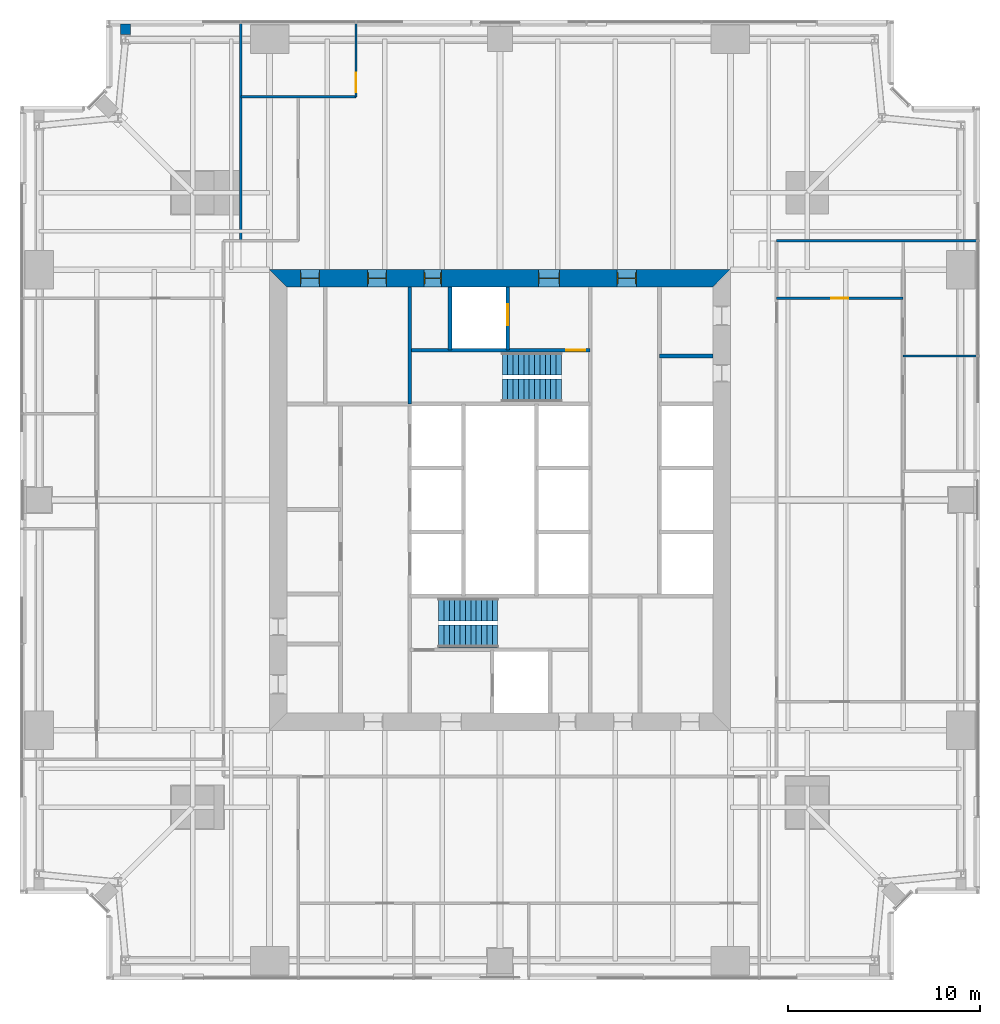
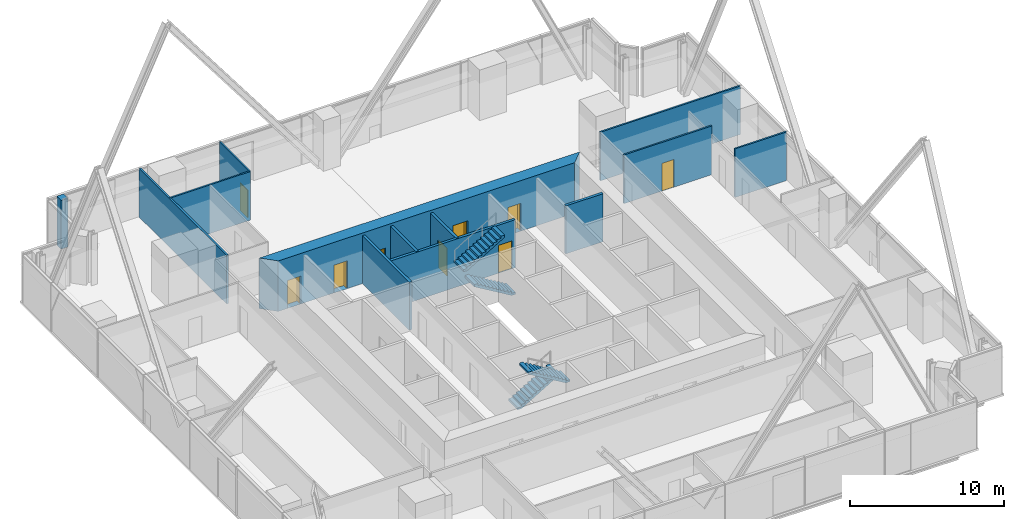
# One storey, part 11 of 13: 13 walls, 9 doors, 4 stair flights, 9 openings, 2 elements without a shape of their own.
"""IFC4 building model written with IfcOpenShell, lengths in metres."""

import ifcopenshell
import ifcopenshell.guid

model = None  # the IFC model being written
_history = None  # IfcOwnerHistory: only IFC2X3 demands one
_inside = {}  # id of a spatial element -> (the spatial element, [elements in it])
_under = {}  # id of a project, library or spatial element -> (it, [spatial elements below it])
_declared = {}  # id of a project -> (the project, [libraries it declares])
_typed = {}  # id of a type object -> (the type object, [elements of that type])
_made_of = {}  # id of a material, layer set ... -> (it, [elements and type objects made of it])


def new_model(schema):
    """Start an empty IFC model of exactly this schema.

    Asked for "IFC4X3", IfcOpenShell would pick the latest addendum, in which some entities
    have other attributes; the version numbers below select the first issue.
    IFC2X3 requires an IfcOwnerHistory on every rooted entity: one is made here for all.
    """
    global model, _history
    if schema == "IFC4X3":
        model = ifcopenshell.file(schema_version=(4, 3, 0, 0))
    else:
        model = ifcopenshell.file(schema=schema)
    _inside.clear()
    _under.clear()
    _declared.clear()
    _typed.clear()
    _made_of.clear()
    _history = None
    if model.schema == "IFC2X3":
        org = make("IfcOrganization", Name="unknown")
        user = make(
            "IfcPersonAndOrganization",
            ThePerson=make("IfcPerson", FamilyName="unknown"),
            TheOrganization=org,
        )
        app = make(
            "IfcApplication",
            ApplicationDeveloper=org,
            Version="unknown",
            ApplicationFullName="unknown",
            ApplicationIdentifier="unknown",
        )
        _history = make(
            "IfcOwnerHistory",
            OwningUser=user,
            OwningApplication=app,
            ChangeAction="ADDED",
            CreationDate=0,
        )
    return model


def make(cls, **values):
    """One entity of the class cls with the attributes given. An attribute that is None is left unset."""
    return model.create_entity(
        cls, **{name: value for name, value in values.items() if value is not None}
    )


def rooted(cls, **values):
    """An entity with a GlobalId (a new one), such as an element, a storey or a relation."""
    return make(cls, GlobalId=ifcopenshell.guid.new(), OwnerHistory=_history, **values)


def si_unit(unit_type, name, prefix=None):
    """IfcSIUnit, for example si_unit("LENGTHUNIT", "METRE", prefix="MILLI")."""
    return make("IfcSIUnit", UnitType=unit_type, Prefix=prefix, Name=name)


def assignment(units):
    """IfcUnitAssignment: the units of a project."""
    return None if units is None else make("IfcUnitAssignment", Units=units)


def point(xyz):
    """IfcCartesianPoint."""
    return None if xyz is None else make("IfcCartesianPoint", Coordinates=xyz)


def direction(xyz):
    """IfcDirection."""
    return None if xyz is None else make("IfcDirection", DirectionRatios=xyz)


def frame(location, z_axis=None, x_axis=None):
    """IfcAxis2Placement3D, a coordinate frame: its origin and axes. An axis left out is left unset."""
    return make(
        "IfcAxis2Placement3D",
        Location=point(location),
        Axis=direction(z_axis),
        RefDirection=direction(x_axis),
    )


def frame_2d(location, x_axis=None):
    """IfcAxis2Placement2D, a coordinate frame in the plane: its origin and x axis."""
    return make(
        "IfcAxis2Placement2D", Location=point(location), RefDirection=direction(x_axis)
    )


def origin():
    """The frame at (0, 0, 0) with its axes left unset."""
    return frame((0.0, 0.0, 0.0))


def place(relative_to, where):
    """IfcLocalPlacement: puts the frame where relative to a parent placement (None: the world)."""
    return make(
        "IfcLocalPlacement", PlacementRelTo=relative_to, RelativePlacement=where
    )


def context(
    kind, dimensions, precision=None, world=None, true_north=None, identifier=None
):
    """IfcGeometricRepresentationContext, for example the 3D "Model" context."""
    return make(
        "IfcGeometricRepresentationContext",
        ContextIdentifier=identifier,
        ContextType=kind,
        CoordinateSpaceDimension=dimensions,
        Precision=precision,
        WorldCoordinateSystem=world,
        TrueNorth=true_north,
    )


def subcontext(parent, identifier, kind, view, scale=None):
    """IfcGeometricRepresentationSubContext, for example "Body" below "Model"."""
    return make(
        "IfcGeometricRepresentationSubContext",
        ContextIdentifier=identifier,
        ContextType=kind,
        ParentContext=parent,
        TargetScale=scale,
        TargetView=view,
    )


def project(units=None, contexts=None):
    """IfcProject with its units and contexts."""
    return rooted(
        "IfcProject",
        Name="project",
        RepresentationContexts=contexts,
        UnitsInContext=assignment(units),
    )


def spatial(cls, under=None, at=None, **own):
    """A site, building, storey or space (cls), placed at a placement, below another one or the project."""
    s = rooted(cls, ObjectPlacement=at, **own)
    if under is not None:
        _under.setdefault(under.id(), (under, []))[1].append(s)
    return s


def polyline(points):
    """IfcPolyline through the points."""
    return make("IfcPolyline", Points=[point(p) for p in points])


def profile(cls, at=None, kind="AREA", **sizes):
    """A parametric profile (cls). Its sizes go by their IFC names, for example OverallWidth=200.0."""
    return make(cls, ProfileType=kind, Position=at, **sizes)


def rectangle(**sizes):
    """IfcRectangleProfileDef."""
    return profile("IfcRectangleProfileDef", **sizes)


def outline(outer, holes=None, kind="AREA"):
    """IfcArbitraryClosedProfileDef: a profile drawn as a closed curve; with holes, ...WithVoids."""
    if holes is None:
        return make("IfcArbitraryClosedProfileDef", ProfileType=kind, OuterCurve=outer)
    return make(
        "IfcArbitraryProfileDefWithVoids",
        ProfileType=kind,
        OuterCurve=outer,
        InnerCurves=holes,
    )


def extrude(swept, where, along, depth):
    """IfcExtrudedAreaSolid: the profile swept, set in the frame where, extruded along a direction by depth."""
    return make(
        "IfcExtrudedAreaSolid",
        SweptArea=swept,
        Position=where,
        ExtrudedDirection=direction(along),
        Depth=depth,
    )


def shape(context_of_items, identifier, shape_type, items):
    """IfcShapeRepresentation: the items that make up one representation, for example the "Body"."""
    return make(
        "IfcShapeRepresentation",
        ContextOfItems=context_of_items,
        RepresentationIdentifier=identifier,
        RepresentationType=shape_type,
        Items=items,
    )


def material(Name=None, Category=None):
    """IfcMaterial."""
    return make("IfcMaterial", Name=Name, Category=Category)


def layer(
    of_material, thickness, ventilated=None, Name=None, Category=None, Priority=None
):
    """IfcMaterialLayer: one layer of a wall or slab, of a material (None: an air gap)."""
    return make(
        "IfcMaterialLayer",
        Material=of_material,
        LayerThickness=thickness,
        IsVentilated=ventilated,
        Name=Name,
        Category=Category,
        Priority=Priority,
    )


def layer_set(layers, Name=None):
    """IfcMaterialLayerSet."""
    return make("IfcMaterialLayerSet", MaterialLayers=layers, LayerSetName=Name)


def made_of(thing, what):
    """Note that an element or type object is made of a material, layer set ...; save() writes the relation."""
    if what is not None:
        _made_of.setdefault(what.id(), (what, []))[1].append(thing)
    return thing


def type_object(cls, material=None, **own):
    """A type object (cls), such as IfcWallType, which elements share."""
    return made_of(rooted(cls, **own), material)


def element(
    cls,
    number,
    at=None,
    inside=None,
    cuts=None,
    type_object=None,
    material=None,
    context=None,
    identifier="Body",
    shape_type=None,
    held_by="IfcProductDefinitionShape",
    body=None,
    shapes=None,
    **own,
):
    """One element of the class cls, such as IfcWall. Its Tag is "e" and its number.

    at: its placement. inside: the storey or other place that contains it. cuts: it is an
    opening in that element (IfcRelVoidsElement). A single representation is given by context,
    identifier, shape_type and body (its items); several are given by shapes. held_by: the class
    of the entity that holds the representations. save() writes the other relations.
    """
    e = rooted(cls, Tag="e%d" % number, ObjectPlacement=at, **own)
    if body is not None:
        shapes = [shape(context, identifier, shape_type, body)]
    if shapes is not None:
        e.Representation = make(held_by, Representations=shapes)
    if inside is not None:
        _inside.setdefault(inside.id(), (inside, []))[1].append(e)
    if cuts is not None:
        rooted(
            "IfcRelVoidsElement", RelatingBuildingElement=cuts, RelatedOpeningElement=e
        )
    if type_object is not None:
        _typed.setdefault(type_object.id(), (type_object, []))[1].append(e)
    return made_of(e, material)


def fill(opening, filler):
    """IfcRelFillsElement: the door or window that sits in an opening."""
    return rooted(
        "IfcRelFillsElement",
        RelatingOpeningElement=opening,
        RelatedBuildingElement=filler,
    )


def aggregate(whole, parts):
    """IfcRelAggregates: a whole, such as a stair, and the parts it consists of."""
    return rooted("IfcRelAggregates", RelatingObject=whole, RelatedObjects=parts)


def save(model, path):
    """Write the relations noted so far, then the file.

    IfcRelAggregates (storeys below a building ...), IfcRelContainedInSpatialStructure (elements
    in a storey), IfcRelDefinesByType, IfcRelAssociatesMaterial and IfcRelDeclares: one each for
    every whole, place, type object, material and project.
    """
    for whole, parts in _under.values():
        aggregate(whole, parts)
    for where, things in _inside.values():
        rooted(
            "IfcRelContainedInSpatialStructure",
            RelatedElements=things,
            RelatingStructure=where,
        )
    for kind, things in _typed.values():
        rooted("IfcRelDefinesByType", RelatedObjects=things, RelatingType=kind)
    for what, things in _made_of.values():
        rooted("IfcRelAssociatesMaterial", RelatedObjects=things, RelatingMaterial=what)
    for by, libraries in _declared.values():
        rooted("IfcRelDeclares", RelatingContext=by, RelatedDefinitions=libraries)
    model.write(path)


model = new_model("IFC4")

# Units and contexts
model_context = context("Model", 3, precision=1e-05, world=origin(), true_north=direction((0.0, 1.0)))
body_context = subcontext(model_context, "Body", "Model", "MODEL_VIEW")
ifc_project = project(units=[si_unit("LENGTHUNIT", "METRE"), si_unit("AREAUNIT", "SQUARE_METRE"), si_unit("VOLUMEUNIT", "CUBIC_METRE"), si_unit("PLANEANGLEUNIT", "RADIAN"), si_unit("MASSUNIT", "GRAM", prefix="KILO")], contexts=[model_context])

# Site, building, storey
site_placement = place(None, origin())
site = spatial("IfcSite", under=ifc_project, at=site_placement, CompositionType="ELEMENT")
building_placement = place(site_placement, origin())
building = spatial("IfcBuilding", under=site, at=building_placement, Name="Fenwick Lantern Interchange", CompositionType="ELEMENT")
storey_placement = place(building_placement, frame((0.0, 0.0, 146.39990234375)))
storey = spatial("IfcBuildingStorey", under=building, at=storey_placement, Name="L34", CompositionType="ELEMENT", Elevation=146.39990234375)

# Wall
ifc_material_1 = material(Name="Fire-rated gypsum board encasement on steel studs, 2 hour", Category="steel")
ifc_layer_1 = layer(ifc_material_1, 0.52392578125)
ifc_layer_set_1 = layer_set([ifc_layer_1], Name="COLUMN PIER 524")
wall_type_1 = type_object("IfcWallType", Name="COLUMN PIER 524", PredefinedType="PARTITIONING", material=ifc_layer_set_1)
wall_1_placement = place(storey_placement, frame((5.5, 49.800048828125, 0.0), z_axis=(0.0, 0.0, 1.0), x_axis=(0.0, -1.0, 0.0)))
element("IfcWall", 1, at=wall_1_placement, inside=storey, type_object=wall_type_1, Name="L34/W/PIER/CN5", PredefinedType="PARTITIONING", context=body_context, shape_type="SweptSolid", body=[
    extrude(rectangle(XDim=0.5625, YDim=0.52392578125, at=frame_2d((0.28125, 0.0))), origin(), (0.0, 0.0, 1.0), 3.85009765625),
])

# Wall, opening, door
ifc_material_2 = material(Name="Concrete masonry ASTM C90 Grade N", Category="masonry")
ifc_layer_2 = layer(ifc_material_2, 0.199951171875)
ifc_layer_set_2 = layer_set([ifc_layer_2], Name="Concrete masonry ASTM C90 Grade N")
wall_type_2 = type_object("IfcWallType", Name="CORE PARTITION 200", PredefinedType="PARTITIONING", material=ifc_layer_set_2)
wall_2_placement = place(storey_placement, frame((25.39990234375, 36.10009765625, 0.0), z_axis=(0.0, 0.0, 1.0), x_axis=(0.0, -1.0, 0.0)))
wall_2 = element("IfcWall", 2, at=wall_2_placement, inside=storey, type_object=wall_type_2, Name="L34/W/COREN/h1", PredefinedType="PARTITIONING", context=body_context, shape_type="SweptSolid", body=[
    extrude(rectangle(XDim=3.300048828125, YDim=0.199951171875, at=frame_2d((1.64990234375, 0.0))), origin(), (0.0, 0.0, 1.0), 3.800048828125),
])
opening_1_placement = place(wall_2_placement, frame((0.89990234375, 0.0, 0.0)))
opening_1 = element("IfcOpeningElement", 3, at=opening_1_placement, cuts=wall_2, Name="Opening LD-FL2", PredefinedType="OPENING", context=body_context, shape_type="SweptSolid", body=[
    extrude(rectangle(XDim=1.10009765625, YDim=2.199951171875, at=frame_2d((0.550048828125, 1.10009765625))), frame((0.0, 0.10986328125, 0.0), z_axis=(0.0, -1.0, 0.0), x_axis=(1.0, 0.0, 0.0)), (0.0, 0.0, 1.0), 0.219970703125),
])
ifc_material_3 = material(Name="Steel door and frame", Category="steel")
door_type_1 = type_object("IfcDoorType", Name="LIFT LANDING DOOR 1100 X 2200", OperationType="DOUBLE_DOOR_SLIDING", PredefinedType="DOOR", material=ifc_material_3)
door_1_placement = place(opening_1_placement, origin())
door_1 = element("IfcDoor", 4, at=door_1_placement, inside=storey, type_object=door_type_1, Name="Lift landing door FL2", OperationType="DOUBLE_DOOR_SLIDING", OverallHeight=2.199951171875, OverallWidth=1.10009765625, PredefinedType="DOOR", context=body_context, shape_type="SweptSolid", body=[
    extrude(rectangle(XDim=1.10009765625, YDim=2.199951171875, at=frame_2d((0.550048828125, 1.10009765625))), frame((0.0, 0.02490234375, 0.0), z_axis=(0.0, -1.0, 0.0), x_axis=(1.0, 0.0, 0.0)), (0.0, 0.0, 1.0), 0.050048828125),
])
fill(opening_1, door_1)

# Walls
wall_3_placement = place(storey_placement, frame((22.39990234375, 36.10009765625, 0.0), z_axis=(0.0, 0.0, 1.0), x_axis=(0.0, -1.0, 0.0)))
element("IfcWall", 5, at=wall_3_placement, inside=storey, type_object=wall_type_2, Name="L34/W/COREN/h2", PredefinedType="PARTITIONING", context=body_context, shape_type="SweptSolid", body=[
    extrude(rectangle(XDim=3.300048828125, YDim=0.199951171875, at=frame_2d((1.64990234375, 0.0))), origin(), (0.0, 0.0, 1.0), 3.800048828125),
])
wall_4_placement = place(storey_placement, frame((36.10009765625, 32.5, 0.0), z_axis=(0.0, 0.0, 1.0), x_axis=(-1.0, 0.0, 0.0)))
element("IfcWall", 6, at=wall_4_placement, inside=storey, type_object=wall_type_2, Name="L34/W/COREN/p1", PredefinedType="PARTITIONING", context=body_context, shape_type="SweptSolid", body=[
    extrude(rectangle(XDim=2.800048828125, YDim=0.199951171875, at=frame_2d((1.39990234375, 0.0))), origin(), (0.0, 0.0, 1.0), 3.800048828125),
])

# Wall, openings, doors
ifc_material_4 = material(Name="Concrete f'c 70 MPa", Category="concrete")
ifc_layer_3 = layer(ifc_material_4, 0.89990234375)
ifc_layer_set_3 = layer_set([ifc_layer_3], Name="CORE WALL 900")
wall_type_3 = type_object("IfcWallType", Name="CORE WALL 900", PredefinedType="SHEAR", material=ifc_layer_set_3)
wall_5_placement = place(storey_placement, frame((37.0, 36.550048828125, 0.0), z_axis=(0.0, 0.0, 1.0), x_axis=(-1.0, 0.0, 0.0)))
wall_5 = element("IfcWall", 7, at=wall_5_placement, inside=storey, type_object=wall_type_3, Name="L34/CORE/N", PredefinedType="SHEAR", context=body_context, shape_type="SweptSolid", body=[
    extrude(outline(polyline([(0.0, -0.449951171875), (24.0, -0.449951171875), (23.10009765625, 0.449951171875), (0.89990234375, 0.449951171875), (0.0, -0.449951171875)])), origin(), (0.0, 0.0, 1.0), 4.0),
])
opening_2_placement = place(wall_5_placement, frame((4.89990234375, 0.0, 0.0)))
opening_2 = element("IfcOpeningElement", 8, at=opening_2_placement, cuts=wall_5, Name="Opening L34-D011", PredefinedType="OPENING", context=body_context, shape_type="SweptSolid", body=[
    extrude(rectangle(XDim=1.0, YDim=2.199951171875, at=frame_2d((0.5, 1.10009765625))), frame((0.0, 0.4599609375, 0.0), z_axis=(0.0, -1.0, 0.0), x_axis=(1.0, 0.0, 0.0)), (0.0, 0.0, 1.0), 0.919921875),
])
opening_3_placement = place(wall_5_placement, frame((8.89990234375, 0.0, 0.0)))
opening_3 = element("IfcOpeningElement", 9, at=opening_3_placement, cuts=wall_5, Name="Opening L34-D012", PredefinedType="OPENING", context=body_context, shape_type="SweptSolid", body=[
    extrude(rectangle(XDim=1.10009765625, YDim=2.199951171875, at=frame_2d((0.550048828125, 1.10009765625))), frame((0.0, 0.4599609375, 0.0), z_axis=(0.0, -1.0, 0.0), x_axis=(1.0, 0.0, 0.0)), (0.0, 0.0, 1.0), 0.919921875),
])
opening_4_placement = place(wall_5_placement, frame((15.050048828125, 0.0, 0.0)))
opening_4 = element("IfcOpeningElement", 10, at=opening_4_placement, cuts=wall_5, Name="Opening L34-D014", PredefinedType="OPENING", context=body_context, shape_type="SweptSolid", body=[
    extrude(rectangle(XDim=0.89990234375, YDim=2.199951171875, at=frame_2d((0.449951171875, 1.10009765625))), frame((0.0, 0.4599609375, 0.0), z_axis=(0.0, -1.0, 0.0), x_axis=(1.0, 0.0, 0.0)), (0.0, 0.0, 1.0), 0.919921875),
])
opening_5_placement = place(wall_5_placement, frame((17.89990234375, 0.0, 0.0)))
opening_5 = element("IfcOpeningElement", 11, at=opening_5_placement, cuts=wall_5, Name="Opening L34-D015", PredefinedType="OPENING", context=body_context, shape_type="SweptSolid", body=[
    extrude(rectangle(XDim=1.0, YDim=2.199951171875, at=frame_2d((0.5, 1.10009765625))), frame((0.0, 0.4599609375, 0.0), z_axis=(0.0, -1.0, 0.0), x_axis=(1.0, 0.0, 0.0)), (0.0, 0.0, 1.0), 0.919921875),
])
opening_6_placement = place(wall_5_placement, frame((21.39990234375, 0.0, 0.0)))
opening_6 = element("IfcOpeningElement", 12, at=opening_6_placement, cuts=wall_5, Name="Opening L34-D016", PredefinedType="OPENING", context=body_context, shape_type="SweptSolid", body=[
    extrude(rectangle(XDim=1.0, YDim=2.199951171875, at=frame_2d((0.5, 1.10009765625))), frame((0.0, 0.4599609375, 0.0), z_axis=(0.0, -1.0, 0.0), x_axis=(1.0, 0.0, 0.0)), (0.0, 0.0, 1.0), 0.919921875),
])
door_type_2 = type_object("IfcDoorType", Name="CORE LOBBY DOOR 1000 X 2200", OperationType="SINGLE_SWING_LEFT", PredefinedType="DOOR", material=ifc_material_3)
door_2_placement = place(opening_2_placement, origin())
door_2 = element("IfcDoor", 13, at=door_2_placement, inside=storey, type_object=door_type_2, Name="Core lobby door", OperationType="SINGLE_SWING_LEFT", OverallHeight=2.199951171875, OverallWidth=1.0, PredefinedType="DOOR", context=body_context, shape_type="SweptSolid", body=[
    extrude(rectangle(XDim=1.0, YDim=2.199951171875, at=frame_2d((0.5, 1.10009765625))), frame((0.0, 0.02490234375, 0.0), z_axis=(0.0, -1.0, 0.0), x_axis=(1.0, 0.0, 0.0)), (0.0, 0.0, 1.0), 0.050048828125),
    extrude(outline(polyline([(0.0, 0.0), (0.0400390625, 0.0), (0.0400390625, 2.159912109375), (0.9599609375, 2.159912109375), (0.9599609375, 0.0), (1.0, 0.0), (1.0, 2.199951171875), (0.0, 2.199951171875), (0.0, 0.0)])), frame((0.0, 0.300048828125, 0.0), z_axis=(0.0, -1.0, 0.0), x_axis=(1.0, 0.0, 0.0)), (0.0, 0.0, 1.0), 0.60009765625),
])
fill(opening_2, door_2)
door_type_3 = type_object("IfcDoorType", Name="FIRE LOBBY DOOR 1100 X 2200", OperationType="SINGLE_SWING_LEFT", PredefinedType="DOOR", material=ifc_material_3)
door_3_placement = place(opening_3_placement, origin())
door_3 = element("IfcDoor", 14, at=door_3_placement, inside=storey, type_object=door_type_3, Name="Fire lobby door", OperationType="SINGLE_SWING_LEFT", OverallHeight=2.199951171875, OverallWidth=1.10009765625, PredefinedType="DOOR", context=body_context, shape_type="SweptSolid", body=[
    extrude(rectangle(XDim=1.10009765625, YDim=2.199951171875, at=frame_2d((0.550048828125, 1.10009765625))), frame((0.0, 0.02490234375, 0.0), z_axis=(0.0, -1.0, 0.0), x_axis=(1.0, 0.0, 0.0)), (0.0, 0.0, 1.0), 0.050048828125),
    extrude(outline(polyline([(0.0, 0.0), (0.0400390625, 0.0), (0.0400390625, 2.159912109375), (1.06005859375, 2.159912109375), (1.06005859375, 0.0), (1.10009765625, 0.0), (1.10009765625, 2.199951171875), (0.0, 2.199951171875), (0.0, 0.0)])), frame((0.0, 0.300048828125, 0.0), z_axis=(0.0, -1.0, 0.0), x_axis=(1.0, 0.0, 0.0)), (0.0, 0.0, 1.0), 0.60009765625),
])
fill(opening_3, door_3)
door_type_4 = type_object("IfcDoorType", Name="SERVICE DOOR 900 X 2200", OperationType="SINGLE_SWING_LEFT", PredefinedType="DOOR", material=ifc_material_3)
door_4_placement = place(opening_4_placement, origin())
door_4 = element("IfcDoor", 15, at=door_4_placement, inside=storey, type_object=door_type_4, Name="Service door", OperationType="SINGLE_SWING_LEFT", OverallHeight=2.199951171875, OverallWidth=0.89990234375, PredefinedType="DOOR", context=body_context, shape_type="SweptSolid", body=[
    extrude(rectangle(XDim=0.89990234375, YDim=2.199951171875, at=frame_2d((0.449951171875, 1.10009765625))), frame((0.0, 0.02490234375, 0.0), z_axis=(0.0, -1.0, 0.0), x_axis=(1.0, 0.0, 0.0)), (0.0, 0.0, 1.0), 0.050048828125),
    extrude(outline(polyline([(0.0, 0.0), (0.0400390625, 0.0), (0.0400390625, 2.159912109375), (0.85986328125, 2.159912109375), (0.85986328125, 0.0), (0.89990234375, 0.0), (0.89990234375, 2.199951171875), (0.0, 2.199951171875), (0.0, 0.0)])), frame((0.0, 0.300048828125, 0.0), z_axis=(0.0, -1.0, 0.0), x_axis=(1.0, 0.0, 0.0)), (0.0, 0.0, 1.0), 0.60009765625),
])
fill(opening_4, door_4)
ifc_material_5 = material(Name="Hardwood door and steel frame", Category="steel")
door_type_5 = type_object("IfcDoorType", Name="WC DOOR 1000 X 2200", OperationType="SINGLE_SWING_LEFT", PredefinedType="DOOR", material=ifc_material_5)
door_5_placement = place(opening_5_placement, origin())
door_5 = element("IfcDoor", 16, at=door_5_placement, inside=storey, type_object=door_type_5, Name="Wc door", OperationType="SINGLE_SWING_LEFT", OverallHeight=2.199951171875, OverallWidth=1.0, PredefinedType="DOOR", context=body_context, shape_type="SweptSolid", body=[
    extrude(rectangle(XDim=1.0, YDim=2.199951171875, at=frame_2d((0.5, 1.10009765625))), frame((0.0, 0.02490234375, 0.0), z_axis=(0.0, -1.0, 0.0), x_axis=(1.0, 0.0, 0.0)), (0.0, 0.0, 1.0), 0.050048828125),
    extrude(outline(polyline([(0.0, 0.0), (0.0400390625, 0.0), (0.0400390625, 2.159912109375), (0.9599609375, 2.159912109375), (0.9599609375, 0.0), (1.0, 0.0), (1.0, 2.199951171875), (0.0, 2.199951171875), (0.0, 0.0)])), frame((0.0, 0.300048828125, 0.0), z_axis=(0.0, -1.0, 0.0), x_axis=(1.0, 0.0, 0.0)), (0.0, 0.0, 1.0), 0.60009765625),
])
fill(opening_5, door_5)
door_6_placement = place(opening_6_placement, origin())
door_6 = element("IfcDoor", 17, at=door_6_placement, inside=storey, type_object=door_type_5, Name="Wc door", OperationType="SINGLE_SWING_LEFT", OverallHeight=2.199951171875, OverallWidth=1.0, PredefinedType="DOOR", context=body_context, shape_type="SweptSolid", body=[
    extrude(rectangle(XDim=1.0, YDim=2.199951171875, at=frame_2d((0.5, 1.10009765625))), frame((0.0, 0.02490234375, 0.0), z_axis=(0.0, -1.0, 0.0), x_axis=(1.0, 0.0, 0.0)), (0.0, 0.0, 1.0), 0.050048828125),
    extrude(outline(polyline([(0.0, 0.0), (0.0400390625, 0.0), (0.0400390625, 2.159912109375), (0.9599609375, 2.159912109375), (0.9599609375, 0.0), (1.0, 0.0), (1.0, 2.199951171875), (0.0, 2.199951171875), (0.0, 0.0)])), frame((0.0, 0.300048828125, 0.0), z_axis=(0.0, -1.0, 0.0), x_axis=(1.0, 0.0, 0.0)), (0.0, 0.0, 1.0), 0.60009765625),
])
fill(opening_6, door_6)

# Wall
ifc_material_6 = material(Name="Gypsum board on steel studs, acoustic", Category="steel")
ifc_layer_4 = layer(ifc_material_6, 0.125)
ifc_layer_set_4 = layer_set([ifc_layer_4], Name="OFFICE PARTITION 125")
wall_type_4 = type_object("IfcWallType", Name="OFFICE PARTITION 125", PredefinedType="PARTITIONING", material=ifc_layer_set_4)
wall_6_placement = place(storey_placement, frame((49.85009765625, 32.5, 0.0), z_axis=(0.0, 0.0, 1.0), x_axis=(-1.0, 0.0, 0.0)))
element("IfcWall", 18, at=wall_6_placement, inside=storey, type_object=wall_type_4, Name="L34/W/OFF/E/X325-1", PredefinedType="PARTITIONING", context=body_context, shape_type="SweptSolid", body=[
    extrude(rectangle(XDim=3.85009765625, YDim=0.125, at=frame_2d((1.925048828125, 0.0))), origin(), (0.0, 0.0, 1.0), 3.85009765625),
])

# Wall, opening, door
wall_7_placement = place(storey_placement, frame((46.0, 35.5, 0.0), z_axis=(0.0, 0.0, 1.0), x_axis=(-1.0, 0.0, 0.0)))
wall_7 = element("IfcWall", 19, at=wall_7_placement, inside=storey, type_object=wall_type_4, Name="L34/W/OFF/E/X355-1", PredefinedType="PARTITIONING", context=body_context, shape_type="SweptSolid", body=[
    extrude(rectangle(XDim=6.60009765625, YDim=0.125, at=frame_2d((3.300048828125, 0.0))), origin(), (0.0, 0.0, 1.0), 3.85009765625),
])
opening_7_placement = place(wall_7_placement, frame((2.85009765625, 0.0, 0.0)))
opening_7 = element("IfcOpeningElement", 20, at=opening_7_placement, cuts=wall_7, Name="Opening L34-D031", PredefinedType="OPENING", context=body_context, shape_type="SweptSolid", body=[
    extrude(rectangle(XDim=0.89990234375, YDim=2.199951171875, at=frame_2d((0.449951171875, 1.10009765625))), frame((0.0, 0.072509765625, 0.0), z_axis=(0.0, -1.0, 0.0), x_axis=(1.0, 0.0, 0.0)), (0.0, 0.0, 1.0), 0.14501953125),
])
door_type_6 = type_object("IfcDoorType", Name="OFFICE DOOR 900 X 2200", OperationType="SINGLE_SWING_LEFT", PredefinedType="DOOR", material=ifc_material_5)
door_7_placement = place(opening_7_placement, frame((0.89990234375, 0.0, 0.0), z_axis=(0.0, 0.0, 1.0), x_axis=(-1.0, 0.0, 0.0)))
door_7 = element("IfcDoor", 21, at=door_7_placement, inside=storey, type_object=door_type_6, Name="Office door", OperationType="SINGLE_SWING_RIGHT", OverallHeight=2.199951171875, OverallWidth=0.89990234375, PredefinedType="DOOR", context=body_context, shape_type="SweptSolid", body=[
    extrude(rectangle(XDim=0.89990234375, YDim=2.199951171875, at=frame_2d((0.449951171875, 1.10009765625))), frame((0.0, 0.02490234375, 0.0), z_axis=(0.0, -1.0, 0.0), x_axis=(1.0, 0.0, 0.0)), (0.0, 0.0, 1.0), 0.050048828125),
])
fill(opening_7, door_7)

# Wall
wall_8_placement = place(storey_placement, frame((49.85009765625, 38.5, 0.0), z_axis=(0.0, 0.0, 1.0), x_axis=(-1.0, 0.0, 0.0)))
element("IfcWall", 22, at=wall_8_placement, inside=storey, type_object=wall_type_4, Name="L34/W/OFF/N/BACK", PredefinedType="PARTITIONING", context=body_context, shape_type="SweptSolid", body=[
    extrude(rectangle(XDim=10.4501953125, YDim=0.125, at=frame_2d((5.22509765625, 0.0))), origin(), (0.0, 0.0, 1.0), 3.85009765625),
])

# Wall, opening, door
wall_9_placement = place(storey_placement, frame((17.5, 49.85009765625, 0.0), z_axis=(0.0, 0.0, 1.0), x_axis=(0.0, -1.0, 0.0)))
wall_9 = element("IfcWall", 23, at=wall_9_placement, inside=storey, type_object=wall_type_4, Name="L34/W/OFF/N/X325-1", PredefinedType="PARTITIONING", context=body_context, shape_type="SweptSolid", body=[
    extrude(rectangle(XDim=3.85009765625, YDim=0.125, at=frame_2d((1.925048828125, 0.0))), origin(), (0.0, 0.0, 1.0), 3.85009765625),
])
opening_8_placement = place(wall_9_placement, frame((2.60009765625, 0.0, 0.0)))
opening_8 = element("IfcOpeningElement", 24, at=opening_8_placement, cuts=wall_9, Name="Opening L34-D032", PredefinedType="OPENING", context=body_context, shape_type="SweptSolid", body=[
    extrude(rectangle(XDim=1.0, YDim=2.199951171875, at=frame_2d((0.5, 1.10009765625))), frame((0.0, 0.072509765625, 0.0), z_axis=(0.0, -1.0, 0.0), x_axis=(1.0, 0.0, 0.0)), (0.0, 0.0, 1.0), 0.14501953125),
])
door_type_7 = type_object("IfcDoorType", Name="MEETING ROOM DOOR 1000 X 2200", OperationType="SINGLE_SWING_LEFT", PredefinedType="DOOR", material=ifc_material_5)
door_8_placement = place(opening_8_placement, frame((1.0, 0.0, 0.0), z_axis=(0.0, 0.0, 1.0), x_axis=(-1.0, 0.0, 0.0)))
door_8 = element("IfcDoor", 25, at=door_8_placement, inside=storey, type_object=door_type_7, Name="Meeting room door", OperationType="SINGLE_SWING_LEFT", OverallHeight=2.199951171875, OverallWidth=1.0, PredefinedType="DOOR", context=body_context, shape_type="SweptSolid", body=[
    extrude(rectangle(XDim=1.0, YDim=2.199951171875, at=frame_2d((0.5, 1.10009765625))), frame((0.0, 0.02490234375, 0.0), z_axis=(0.0, -1.0, 0.0), x_axis=(1.0, 0.0, 0.0)), (0.0, 0.0, 1.0), 0.050048828125),
])
fill(opening_8, door_8)

# Wall
wall_10_placement = place(storey_placement, frame((17.5, 46.0, 0.0), z_axis=(0.0, 0.0, 1.0), x_axis=(-1.0, 0.0, 0.0)))
element("IfcWall", 26, at=wall_10_placement, inside=storey, type_object=wall_type_4, Name="L34/W/OFF/N/Y40-1", PredefinedType="PARTITIONING", context=body_context, shape_type="SweptSolid", body=[
    extrude(rectangle(XDim=6.0, YDim=0.125, at=frame_2d((3.0, 0.0))), origin(), (0.0, 0.0, 1.0), 3.85009765625),
])

# Wall, opening, door
ifc_material_7 = material(Name="Concrete f'c 45 MPa", Category="concrete")
ifc_layer_5 = layer(ifc_material_7, 0.199951171875)
ifc_layer_set_5 = layer_set([ifc_layer_5], Name="STAIR CORE WALL 200")
wall_type_5 = type_object("IfcWallType", Name="STAIR CORE WALL 200", PredefinedType="SOLIDWALL", material=ifc_layer_set_5)
wall_11_placement = place(storey_placement, frame((29.699951171875, 32.800048828125, 0.0), z_axis=(0.0, 0.0, 1.0), x_axis=(-1.0, 0.0, 0.0)))
wall_11 = element("IfcWall", 27, at=wall_11_placement, inside=storey, type_object=wall_type_5, Name="L34/W/COREN/g1", PredefinedType="SOLIDWALL", context=body_context, shape_type="SweptSolid", body=[
    extrude(rectangle(XDim=9.39990234375, YDim=0.199951171875, at=frame_2d((4.699951171875, 0.0))), origin(), (0.0, 0.0, 1.0), 3.800048828125),
])
opening_9_placement = place(wall_11_placement, frame((0.25, 0.0, 0.0)))
opening_9 = element("IfcOpeningElement", 28, at=opening_9_placement, cuts=wall_11, Name="Opening L34-D013", PredefinedType="OPENING", context=body_context, shape_type="SweptSolid", body=[
    extrude(rectangle(XDim=1.0, YDim=2.199951171875, at=frame_2d((0.5, 1.10009765625))), frame((0.0, 0.10986328125, 0.0), z_axis=(0.0, -1.0, 0.0), x_axis=(1.0, 0.0, 0.0)), (0.0, 0.0, 1.0), 0.219970703125),
])
door_type_8 = type_object("IfcDoorType", Name="STAIR DOOR 1000 X 2200", OperationType="SINGLE_SWING_LEFT", PredefinedType="DOOR", material=ifc_material_3)
door_9_placement = place(opening_9_placement, origin())
door_9 = element("IfcDoor", 29, at=door_9_placement, inside=storey, type_object=door_type_8, Name="Stair door", OperationType="SINGLE_SWING_LEFT", OverallHeight=2.199951171875, OverallWidth=1.0, PredefinedType="DOOR", context=body_context, shape_type="SweptSolid", body=[
    extrude(rectangle(XDim=1.0, YDim=2.199951171875, at=frame_2d((0.5, 1.10009765625))), frame((0.0, 0.02490234375, 0.0), z_axis=(0.0, -1.0, 0.0), x_axis=(1.0, 0.0, 0.0)), (0.0, 0.0, 1.0), 0.050048828125),
])
fill(opening_9, door_9)

# Walls
wall_12_placement = place(storey_placement, frame((20.300048828125, 36.10009765625, 0.0), z_axis=(0.0, 0.0, 1.0), x_axis=(0.0, -1.0, 0.0)))
element("IfcWall", 30, at=wall_12_placement, inside=storey, type_object=wall_type_5, Name="L34/W/COREN/i1", PredefinedType="SOLIDWALL", context=body_context, shape_type="SweptSolid", body=[
    extrude(rectangle(XDim=6.10009765625, YDim=0.199951171875, at=frame_2d((3.050048828125, 0.0))), origin(), (0.0, 0.0, 1.0), 3.800048828125),
])
ifc_material_8 = material(Name="Gypsum board on steel studs, 1 hour acoustic", Category="steel")
ifc_layer_6 = layer(ifc_material_8, 0.14990234375)
ifc_layer_set_6 = layer_set([ifc_layer_6], Name="TENANT WALL 150")
wall_type_6 = type_object("IfcWallType", Name="TENANT WALL 150", PredefinedType="PARTITIONING", material=ifc_layer_set_6)
wall_13_placement = place(storey_placement, frame((11.5, 49.85009765625, 0.0), z_axis=(0.0, 0.0, 1.0), x_axis=(0.0, -1.0, 0.0)))
element("IfcWall", 31, at=wall_13_placement, inside=storey, type_object=wall_type_6, Name="L34/W/OFF/W/BACK", PredefinedType="PARTITIONING", context=body_context, shape_type="SweptSolid", body=[
    extrude(rectangle(XDim=11.35009765625, YDim=0.14990234375, at=frame_2d((5.675048828125, 0.0))), origin(), (0.0, 0.0, 1.0), 3.85009765625),
])

# Stair, stair flights
ifc_material_9 = material(Name="Precast concrete f'c 35 MPa", Category="concrete")
stair_type = type_object("IfcStairType", Name="EXIT STAIR 1200", PredefinedType="HALF_TURN_STAIR", material=ifc_material_9)
stair_1_placement = place(storey_placement, origin())
stair_1 = element("IfcStair", 32, at=stair_1_placement, inside=storey, type_object=stair_type, Name="Exit stair ST1", PredefinedType="HALF_TURN_STAIR")
stair_flight_type = type_object("IfcStairFlightType", Name="STAIR FLIGHT 1200", PredefinedType="STRAIGHT", material=ifc_material_9)
stair_flight_1_placement = place(storey_placement, frame((21.800048828125, 19.300048828125, 0.0), z_axis=(0.0, 0.0, 1.0), x_axis=(1.0, 0.0, 0.0)))
stair_flight_1 = element("IfcStairFlight", 33, at=stair_flight_1_placement, type_object=stair_flight_type, Name="ST1 flight 1", NumberOfRisers=12, NumberOfTreads=11, PredefinedType="STRAIGHT", RiserHeight=0.166666667, TreadLength=0.28, context=body_context, shape_type="SweptSolid", body=[
    extrude(outline(polyline([(0.0, 0.0), (0.0, 0.166748046875), (0.280029296875, 0.166748046875), (0.280029296875, 0.333251953125), (0.56005859375, 0.333251953125), (0.56005859375, 0.5), (0.840087890625, 0.5), (0.840087890625, 0.666748046875), (1.1201171875, 0.666748046875), (1.1201171875, 0.833251953125), (1.39990234375, 0.833251953125), (1.39990234375, 1.0), (1.679931640625, 1.0), (1.679931640625, 1.166748046875), (1.9599609375, 1.166748046875), (1.9599609375, 1.333251953125), (2.239990234375, 1.333251953125), (2.239990234375, 1.5), (2.52001953125, 1.5), (2.52001953125, 1.666748046875), (2.800048828125, 1.666748046875), (2.800048828125, 1.833251953125), (3.080078125, 1.833251953125), (3.080078125, 2.0), (3.080078125, 1.658935546875), (0.29296875, 0.0), (0.0, 0.0)])), frame((0.0, 0.60009765625, 0.0), z_axis=(0.0, -1.0, 0.0), x_axis=(1.0, 0.0, 0.0)), (0.0, 0.0, 1.0), 1.199951171875),
])
stair_flight_2_placement = place(storey_placement, frame((24.8798828125, 17.89990234375, 2.0), z_axis=(0.0, 0.0, 1.0), x_axis=(-1.0, 0.0, 0.0)))
stair_flight_2 = element("IfcStairFlight", 34, at=stair_flight_2_placement, type_object=stair_flight_type, Name="ST1 flight 2", NumberOfRisers=12, NumberOfTreads=11, PredefinedType="STRAIGHT", RiserHeight=0.166666667, TreadLength=0.28, context=body_context, shape_type="SweptSolid", body=[
    extrude(outline(polyline([(0.0, 0.0), (0.0, 0.166748046875), (0.280029296875, 0.166748046875), (0.280029296875, 0.333251953125), (0.56005859375, 0.333251953125), (0.56005859375, 0.5), (0.840087890625, 0.5), (0.840087890625, 0.666748046875), (1.1201171875, 0.666748046875), (1.1201171875, 0.833251953125), (1.39990234375, 0.833251953125), (1.39990234375, 1.0), (1.679931640625, 1.0), (1.679931640625, 1.166748046875), (1.9599609375, 1.166748046875), (1.9599609375, 1.333251953125), (2.239990234375, 1.333251953125), (2.239990234375, 1.5), (2.52001953125, 1.5), (2.52001953125, 1.666748046875), (2.800048828125, 1.666748046875), (2.800048828125, 1.833251953125), (3.080078125, 1.833251953125), (3.080078125, 2.0), (3.080078125, 1.658935546875), (0.29296875, 0.0), (0.0, 0.0)])), frame((0.0, 0.60009765625, 0.0), z_axis=(0.0, -1.0, 0.0), x_axis=(1.0, 0.0, 0.0)), (0.0, 0.0, 1.0), 1.199951171875),
])
aggregate(stair_1, [stair_flight_1, stair_flight_2])

stair_2_placement = place(storey_placement, origin())
stair_2 = element("IfcStair", 35, at=stair_2_placement, inside=storey, type_object=stair_type, Name="Exit stair ST2", PredefinedType="HALF_TURN_STAIR")
stair_flight_3_placement = place(storey_placement, frame((28.199951171875, 30.699951171875, 0.0), z_axis=(0.0, 0.0, 1.0), x_axis=(-1.0, 0.0, 0.0)))
stair_flight_3 = element("IfcStairFlight", 36, at=stair_flight_3_placement, type_object=stair_flight_type, Name="ST2 flight 1", NumberOfRisers=12, NumberOfTreads=11, PredefinedType="STRAIGHT", RiserHeight=0.166666667, TreadLength=0.28, context=body_context, shape_type="SweptSolid", body=[
    extrude(outline(polyline([(0.0, 0.0), (0.0, 0.166748046875), (0.280029296875, 0.166748046875), (0.280029296875, 0.333251953125), (0.56005859375, 0.333251953125), (0.56005859375, 0.5), (0.840087890625, 0.5), (0.840087890625, 0.666748046875), (1.1201171875, 0.666748046875), (1.1201171875, 0.833251953125), (1.39990234375, 0.833251953125), (1.39990234375, 1.0), (1.679931640625, 1.0), (1.679931640625, 1.166748046875), (1.9599609375, 1.166748046875), (1.9599609375, 1.333251953125), (2.239990234375, 1.333251953125), (2.239990234375, 1.5), (2.52001953125, 1.5), (2.52001953125, 1.666748046875), (2.800048828125, 1.666748046875), (2.800048828125, 1.833251953125), (3.080078125, 1.833251953125), (3.080078125, 2.0), (3.080078125, 1.658935546875), (0.29296875, 0.0), (0.0, 0.0)])), frame((0.0, 0.60009765625, 0.0), z_axis=(0.0, -1.0, 0.0), x_axis=(1.0, 0.0, 0.0)), (0.0, 0.0, 1.0), 1.199951171875),
])
stair_flight_4_placement = place(storey_placement, frame((25.1201171875, 32.10009765625, 2.0), z_axis=(0.0, 0.0, 1.0), x_axis=(1.0, 0.0, 0.0)))
stair_flight_4 = element("IfcStairFlight", 37, at=stair_flight_4_placement, type_object=stair_flight_type, Name="ST2 flight 2", NumberOfRisers=12, NumberOfTreads=11, PredefinedType="STRAIGHT", RiserHeight=0.166666667, TreadLength=0.28, context=body_context, shape_type="SweptSolid", body=[
    extrude(outline(polyline([(0.0, 0.0), (0.0, 0.166748046875), (0.280029296875, 0.166748046875), (0.280029296875, 0.333251953125), (0.56005859375, 0.333251953125), (0.56005859375, 0.5), (0.840087890625, 0.5), (0.840087890625, 0.666748046875), (1.1201171875, 0.666748046875), (1.1201171875, 0.833251953125), (1.39990234375, 0.833251953125), (1.39990234375, 1.0), (1.679931640625, 1.0), (1.679931640625, 1.166748046875), (1.9599609375, 1.166748046875), (1.9599609375, 1.333251953125), (2.239990234375, 1.333251953125), (2.239990234375, 1.5), (2.52001953125, 1.5), (2.52001953125, 1.666748046875), (2.800048828125, 1.666748046875), (2.800048828125, 1.833251953125), (3.080078125, 1.833251953125), (3.080078125, 2.0), (3.080078125, 1.658935546875), (0.29296875, 0.0), (0.0, 0.0)])), frame((0.0, 0.60009765625, 0.0), z_axis=(0.0, -1.0, 0.0), x_axis=(1.0, 0.0, 0.0)), (0.0, 0.0, 1.0), 1.199951171875),
])
aggregate(stair_2, [stair_flight_3, stair_flight_4])

save(model, "model.ifc")
